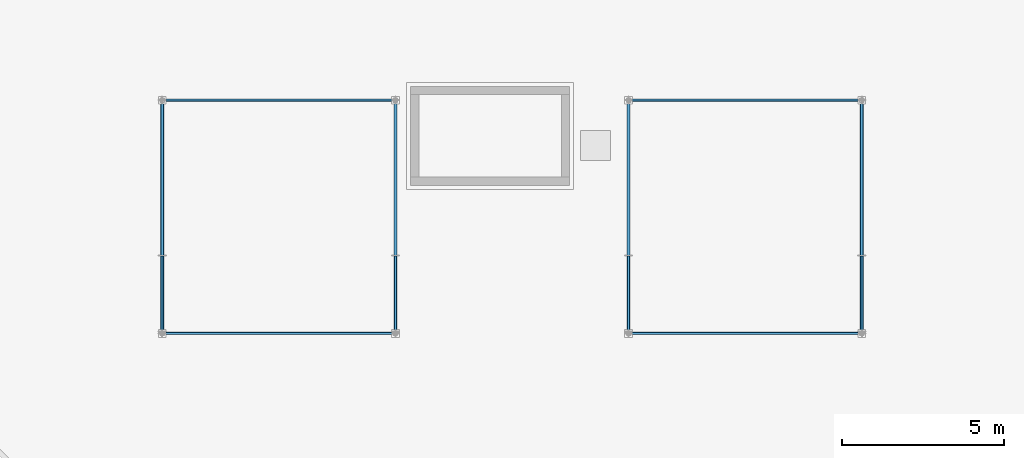
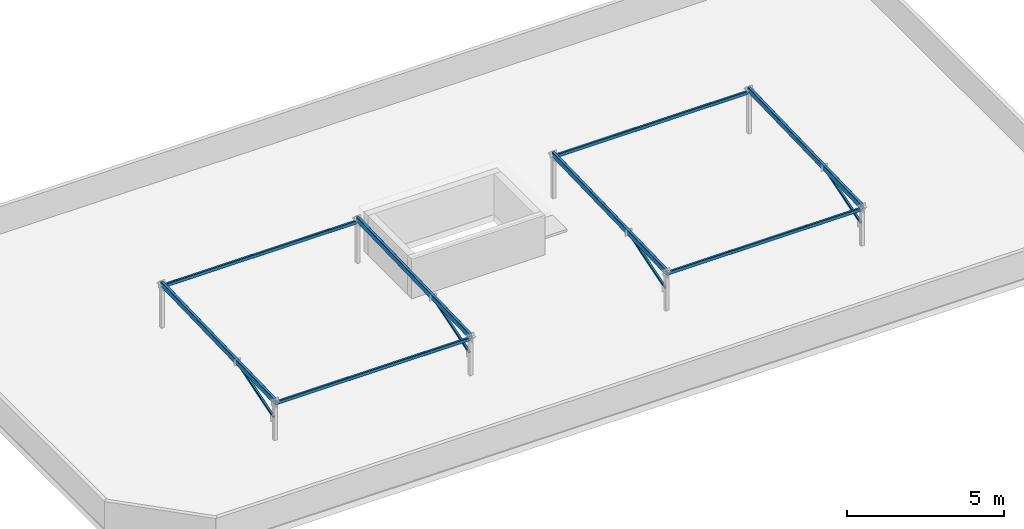
# One storey, part 7 of 43: 12 members.
"""IFC4 building model written with IfcOpenShell, lengths in metres."""

from ifc_helpers import new_model, si_unit, direction, frame, origin, origin_2d, place, context, subcontext, project, spatial, hollow_rectangle, extrude, material, material_profile, profile_set, type_object, element, save


model = new_model("IFC4")

# Units and contexts
model_context = context("Model", 3, precision=1e-05, world=origin(), true_north=direction((0.0, 1.0)))
body_context = subcontext(model_context, "Body", "Model", "MODEL_VIEW")
ifc_project = project(units=[si_unit("LENGTHUNIT", "METRE"), si_unit("AREAUNIT", "SQUARE_METRE"), si_unit("VOLUMEUNIT", "CUBIC_METRE"), si_unit("PLANEANGLEUNIT", "RADIAN"), si_unit("MASSUNIT", "GRAM", prefix="KILO")], contexts=[model_context])

# Site, building, storey
site_placement = place(None, origin())
site = spatial("IfcSite", under=ifc_project, at=site_placement, CompositionType="ELEMENT")
building_placement = place(site_placement, origin())
building = spatial("IfcBuilding", under=site, at=building_placement, Name="Ochrevale Crest", CompositionType="ELEMENT")
storey_placement = place(building_placement, frame((0.0, 0.0, 30.75)))
storey = spatial("IfcBuildingStorey", under=building, at=storey_placement, Name="L09", CompositionType="ELEMENT", Elevation=30.75)

# Members
ifc_material = material(Name="Steel S355", Category="steel")
ifc_material_profile_1 = material_profile(ifc_material, hollow_rectangle(XDim=0.074951171875, YDim=0.125, WallThickness=0.0048828125, InnerFilletRadius=0.0048828125, OuterFilletRadius=0.010009765625, at=origin_2d()), Name="125x75x5.0RHS")
ifc_profile_set_1 = profile_set([ifc_material_profile_1], Name="Steel S355")
member_type_1 = type_object("IfcMemberType", Name="MEM-RHS125-PR", PredefinedType="PURLIN", material=ifc_profile_set_1)
for number, where, z_axis, x_axis, name in (
    (1, (7.199951171875, 21.60009765625, 1.43994140625), (1.0, 0.0, 0.0), (0.0, 1.0, 0.0), "Block A solar-frame purlin W"),
    (2, (7.199951171875, 28.800048828125, 1.6201171875), (1.0, 0.0, 0.0), (0.0, 1.0, 0.0), "Block A solar-frame purlin W"),
    (3, (21.60009765625, 21.60009765625, 1.43994140625), (1.0, 0.0, 0.0), (0.0, 1.0, 0.0), "Block A solar-frame purlin E"),
    (4, (21.60009765625, 28.800048828125, 1.6201171875), (1.0, 0.0, 0.0), (0.0, 1.0, 0.0), "Block A solar-frame purlin E"),
):
    element("IfcMember", number, at=place(storey_placement, frame(where, z_axis=z_axis, x_axis=x_axis)), inside=storey, type_object=member_type_1, Name=name, PredefinedType="PURLIN", context=body_context, shape_type="SweptSolid", body=[
        extrude(hollow_rectangle(XDim=0.074951171875, YDim=0.125, WallThickness=0.0048828125, InnerFilletRadius=0.0048828125, OuterFilletRadius=0.010009765625, at=origin_2d()), origin(), (0.0, 0.0, 1.0), 7.199951171875),
    ])
ifc_material_profile_2 = material_profile(ifc_material, hollow_rectangle(XDim=0.10009765625, YDim=0.199951171875, WallThickness=0.006103515625, InnerFilletRadius=0.006103515625, OuterFilletRadius=0.011962890625, at=origin_2d()), Name="200x100x6.0RHS")
ifc_profile_set_2 = profile_set([ifc_material_profile_2], Name="Steel S355")
member_type_2 = type_object("IfcMemberType", Name="MEM-RHS200-RF", PredefinedType="RAFTER", material=ifc_profile_set_2)
for number, where, z_axis, x_axis, name in (
    (5, (7.199951171875, 21.60009765625, 1.52001953125), (0.0, 0.999614603568, 0.027760481514), (-1.0, 0.0, 0.0), "Block A solar-frame array rafter 1"),
    (6, (14.39990234375, 21.60009765625, 1.52001953125), (0.0, 0.999614603568, 0.027760481514), (-1.0, 0.0, 0.0), "Block A solar-frame array rafter 2"),
    (7, (21.60009765625, 21.60009765625, 1.52001953125), (0.0, 0.999614603568, 0.027760481514), (-1.0, 0.0, 0.0), "Block A solar-frame array rafter 3"),
    (8, (28.800048828125, 21.60009765625, 1.52001953125), (0.0, 0.999614603568, 0.027760481514), (-1.0, 0.0, 0.0), "Block A solar-frame array rafter 4"),
):
    element("IfcMember", number, at=place(storey_placement, frame(where, z_axis=z_axis, x_axis=x_axis)), inside=storey, type_object=member_type_2, Name=name, PredefinedType="RAFTER", context=body_context, shape_type="SweptSolid", body=[
        extrude(hollow_rectangle(XDim=0.10009765625, YDim=0.199951171875, WallThickness=0.006103515625, InnerFilletRadius=0.006103515625, OuterFilletRadius=0.011962890625, at=origin_2d()), origin(), (0.0, 0.0, 1.0), 7.20263671875),
    ])
ifc_material_profile_3 = material_profile(ifc_material, hollow_rectangle(XDim=0.074951171875, YDim=0.074951171875, WallThickness=0.0048828125, InnerFilletRadius=0.0048828125, OuterFilletRadius=0.010009765625, at=origin_2d()), Name="75x75x5.0SHS")
ifc_profile_set_3 = profile_set([ifc_material_profile_3], Name="Steel S355")
member_type_3 = type_object("IfcMemberType", Name="MEM-SHS75-ST", PredefinedType="STRUT", material=ifc_profile_set_3)
for number, where, z_axis, x_axis, name in (
    (9, (7.199951171875, 21.669921875, 0.85009765625), (0.0, 0.953694355567, 0.300777452877), (-1.0, 0.0, 0.0), "Block A solar-frame knee-brace strut 1"),
    (10, (14.39990234375, 21.669921875, 0.85009765625), (0.0, 0.953694355567, 0.300777452877), (-1.0, 0.0, 0.0), "Block A solar-frame knee-brace strut 2"),
    (11, (21.60009765625, 21.669921875, 0.85009765625), (0.0, 0.953694355567, 0.300777452877), (-1.0, 0.0, 0.0), "Block A solar-frame knee-brace strut 3"),
    (12, (28.800048828125, 21.669921875, 0.85009765625), (0.0, 0.953694355567, 0.300777452877), (-1.0, 0.0, 0.0), "Block A solar-frame knee-brace strut 4"),
):
    element("IfcMember", number, at=place(storey_placement, frame(where, z_axis=z_axis, x_axis=x_axis)), inside=storey, type_object=member_type_3, Name=name, PredefinedType="STRUT", context=body_context, shape_type="SweptSolid", body=[
        extrude(hollow_rectangle(XDim=0.074951171875, YDim=0.074951171875, WallThickness=0.0048828125, InnerFilletRadius=0.0048828125, OuterFilletRadius=0.010009765625, at=origin_2d()), origin(), (0.0, 0.0, 1.0), 2.443115234375),
    ])

save(model, "model.ifc")
